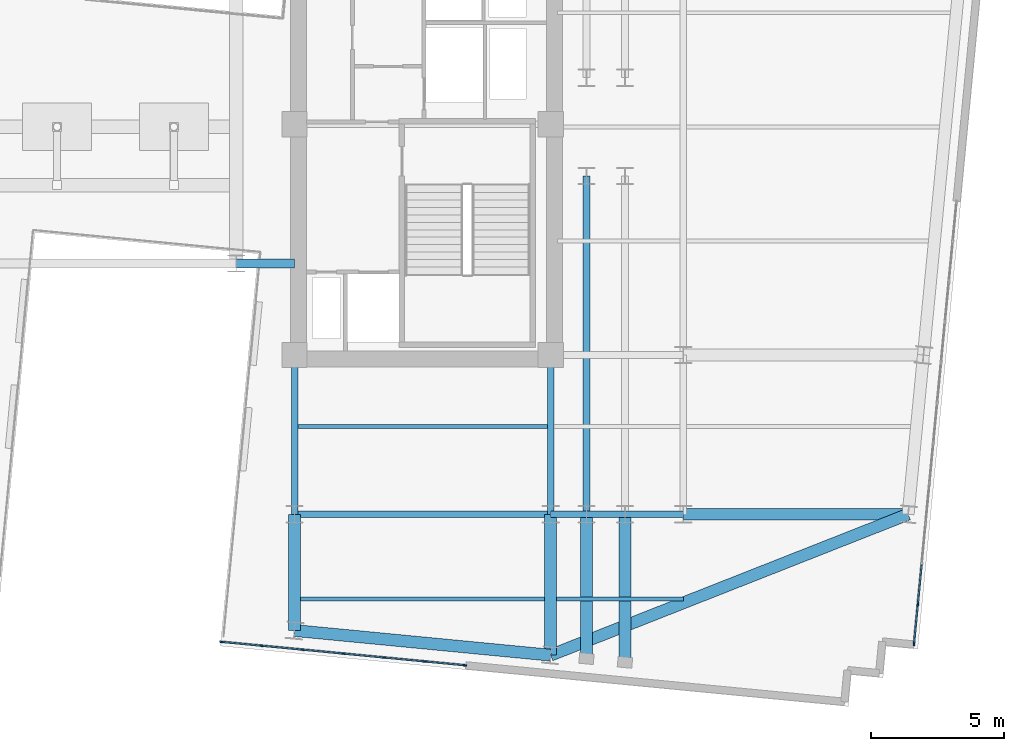
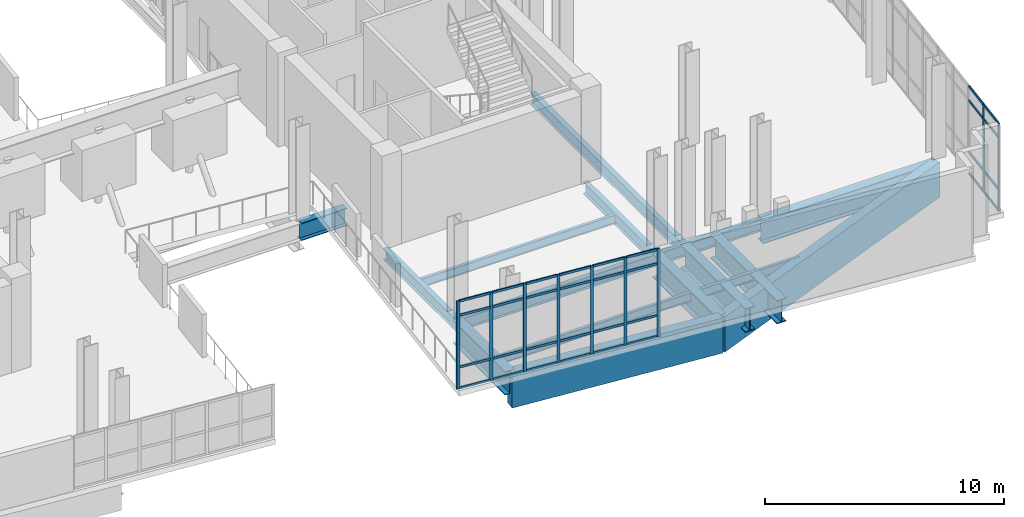
# One storey, part 4 of 16: 41 members, 16 beams, 2 elements without a shape of their own.
"""IFC4 building model written with IfcOpenShell, lengths in metres."""

from ifc_helpers import new_model, si_unit, direction, frame, origin, origin_2d, place, context, subcontext, project, spatial, rectangle, i_section, extrude, material, layer, layer_set, material_profile, profile_set, type_object, element, aggregate, save


model = new_model("IFC4")

# Units and contexts
model_context = context("Model", 3, precision=1e-05, world=origin(), true_north=direction((0.0, 1.0)))
body_context = subcontext(model_context, "Body", "Model", "MODEL_VIEW")
ifc_project = project(units=[si_unit("LENGTHUNIT", "METRE"), si_unit("AREAUNIT", "SQUARE_METRE"), si_unit("VOLUMEUNIT", "CUBIC_METRE"), si_unit("PLANEANGLEUNIT", "RADIAN"), si_unit("MASSUNIT", "GRAM", prefix="KILO")], contexts=[model_context])

# Site, building, storey
site_placement = place(None, origin())
site = spatial("IfcSite", under=ifc_project, at=site_placement, CompositionType="ELEMENT")
building_placement = place(site_placement, origin())
building = spatial("IfcBuilding", under=site, at=building_placement, Name="Velakula Bourse", CompositionType="ELEMENT")
storey_placement = place(building_placement, frame((0.0, 0.0, 199.5)))
storey = spatial("IfcBuildingStorey", under=building, at=storey_placement, Name="L54", CompositionType="ELEMENT", Elevation=199.5)

# Beams
ifc_material_1 = material(Name="Steel IS 2062 Grade 350 (E350)", Category="steel")
ifc_material_profile_1 = material_profile(ifc_material_1, i_section(OverallWidth=0.25, OverallDepth=0.60009765625, WebThickness=0.01123046875, FlangeThickness=0.021240234375, at=origin_2d()), Name="Steel IS 2062 Grade 350 (E350)")
ifc_profile_set_1 = profile_set([ifc_material_profile_1], Name="Steel IS 2062 Grade 350 (E350)")
beam_type_1 = type_object("IfcBeamType", Name="BM-GRD-600M", PredefinedType="BEAM", material=ifc_profile_set_1)
for number, where, z_axis, x_axis, name in (
    (1, (8.949951171875, -14.60009765625, -0.580078125), (0.0, 1.0, 0.0), (-1.0, 0.0, 0.0), "L54 Fulcrum Grid Girder FLC-ECS"),
    (2, (18.60009765625, -14.60009765625, -0.580078125), (0.0, 1.0, 0.0), (-1.0, 0.0, 0.0), "L54 Fulcrum Grid Girder FLC-ES"),
):
    element("IfcBeam", number, at=place(storey_placement, frame(where, z_axis=z_axis, x_axis=x_axis)), inside=storey, type_object=beam_type_1, Name=name, PredefinedType="BEAM", context=body_context, shape_type="SweptSolid", body=[
        extrude(i_section(OverallWidth=0.25, OverallDepth=0.60009765625, WebThickness=0.01123046875, FlangeThickness=0.021240234375, at=origin_2d()), origin(), (0.0, 0.0, 1.0), 6.0),
    ])
beam_1_placement = place(storey_placement, frame((8.949951171875, -14.60009765625, -0.580078125), z_axis=(1.0, 0.0, 0.0), x_axis=(0.0, 1.0, 0.0)))
element("IfcBeam", 3, at=beam_1_placement, inside=storey, type_object=beam_type_1, Name="L54 Fulcrum Grid Girder FLC-S3", PredefinedType="BEAM", context=body_context, shape_type="SweptSolid", body=[
    extrude(i_section(OverallWidth=0.25, OverallDepth=0.60009765625, WebThickness=0.01123046875, FlangeThickness=0.021240234375, at=origin_2d()), origin(), (0.0, 0.0, 1.0), 9.650146484375),
])
beam_2_placement = place(storey_placement, frame((19.949951171875, -14.60009765625, -0.580078125), z_axis=(0.0, 1.0, 0.0), x_axis=(-1.0, 0.0, 0.0)))
element("IfcBeam", 4, at=beam_2_placement, inside=storey, type_object=beam_type_1, Name="L54 Fulcrum Grid Girder FLC-PSE1", PredefinedType="BEAM", context=body_context, shape_type="SweptSolid", body=[
    extrude(i_section(OverallWidth=0.25, OverallDepth=0.60009765625, WebThickness=0.01123046875, FlangeThickness=0.021240234375, at=origin_2d()), origin(), (0.0, 0.0, 1.0), 12.75),
])
beam_3_placement = place(storey_placement, frame((18.60009765625, -14.60009765625, -0.580078125), z_axis=(1.0, 0.0, 0.0), x_axis=(0.0, 1.0, 0.0)))
element("IfcBeam", 5, at=beam_3_placement, inside=storey, type_object=beam_type_1, Name="L54 Fulcrum Grid Girder MWG-ES1", PredefinedType="BEAM", context=body_context, shape_type="SweptSolid", body=[
    extrude(i_section(OverallWidth=0.25, OverallDepth=0.60009765625, WebThickness=0.01123046875, FlangeThickness=0.021240234375, at=origin_2d()), origin(), (0.0, 0.0, 1.0), 5.0),
])
ifc_material_profile_2 = material_profile(ifc_material_1, i_section(OverallWidth=0.35009765625, OverallDepth=0.89990234375, WebThickness=0.02001953125, FlangeThickness=0.031982421875, at=origin_2d()), Name="Steel IS 2062 Grade 350 (E350)")
ifc_profile_set_2 = profile_set([ifc_material_profile_2], Name="Steel IS 2062 Grade 350 (E350)")
beam_type_2 = type_object("IfcBeamType", Name="BM-LNK-900", PredefinedType="BEAM", material=ifc_profile_set_2)
beam_4_placement = place(storey_placement, frame((6.75, -5.14990234375, -0.72998046875), z_axis=(1.0, 0.0, 0.0), x_axis=(0.0, 1.0, 0.0)))
element("IfcBeam", 6, at=beam_4_placement, inside=storey, type_object=beam_type_2, Name="L54 Primary Backbone Girder LNK-S3", PredefinedType="BEAM", context=body_context, shape_type="SweptSolid", body=[
    extrude(i_section(OverallWidth=0.35009765625, OverallDepth=0.89990234375, WebThickness=0.02001953125, FlangeThickness=0.031982421875, at=origin_2d()), origin(), (0.0, 0.0, 1.0), 2.199951171875),
])
ifc_material_profile_3 = material_profile(ifc_material_1, i_section(OverallWidth=0.14990234375, OverallDepth=0.449951171875, WebThickness=0.009521484375, FlangeThickness=0.017333984375, at=origin_2d()), Name="Steel IS 2062 Grade 350 (E350)")
ifc_profile_set_3 = profile_set([ifc_material_profile_3], Name="Steel IS 2062 Grade 350 (E350)")
beam_type_3 = type_object("IfcBeamType", Name="JST-TWR-450", PredefinedType="JOIST", material=ifc_profile_set_3)
beam_5_placement = place(storey_placement, frame((9.175048828125, -17.800048828125, -0.5048828125), z_axis=(1.0, 0.0, 0.0), x_axis=(0.0, 1.0, 0.0)))
element("IfcBeam", 7, at=beam_5_placement, inside=storey, type_object=beam_type_3, Name="L54 Trading Floor Composite Joist 01", PredefinedType="JOIST", context=body_context, shape_type="SweptSolid", body=[
    extrude(i_section(OverallWidth=0.14990234375, OverallDepth=0.449951171875, WebThickness=0.009521484375, FlangeThickness=0.017333984375, at=origin_2d()), origin(), (0.0, 0.0, 1.0), 9.199951171875),
])
beam_6_placement = place(storey_placement, frame((18.824951171875, -17.800048828125, -0.5048828125), z_axis=(1.0, 0.0, 0.0), x_axis=(0.0, 1.0, 0.0)))
element("IfcBeam", 8, at=beam_6_placement, inside=storey, type_object=beam_type_3, Name="L54 Trading Floor Composite Joist 02", PredefinedType="JOIST", context=body_context, shape_type="SweptSolid", body=[
    extrude(i_section(OverallWidth=0.14990234375, OverallDepth=0.449951171875, WebThickness=0.009521484375, FlangeThickness=0.017333984375, at=origin_2d()), origin(), (0.0, 0.0, 1.0), 4.775146484375),
])
beam_7_placement = place(storey_placement, frame((9.074951171875, -11.300048828125, -0.5048828125), z_axis=(1.0, 0.0, 0.0), x_axis=(0.0, 1.0, 0.0)))
element("IfcBeam", 9, at=beam_7_placement, inside=storey, type_object=beam_type_3, Name="L54 Trading Floor Composite Joist 06", PredefinedType="JOIST", context=body_context, shape_type="SweptSolid", body=[
    extrude(i_section(OverallWidth=0.14990234375, OverallDepth=0.449951171875, WebThickness=0.009521484375, FlangeThickness=0.017333984375, at=origin_2d()), origin(), (0.0, 0.0, 1.0), 9.400146484375),
])

# Curtain wall, members
ifc_material_2 = material(Name="Anodised bronze architectural aluminium", Category="aluminium")
ifc_layer = layer(ifc_material_2, 0.139892578125, Name="Anodised bronze architectural aluminium", Category="aluminium")
ifc_layer_set = layer_set([ifc_layer], Name="Anodised bronze architectural aluminium")
curtain_wall_type = type_object("IfcCurtainWallType", Name="CW-TS1", PredefinedType="NOTDEFINED", material=ifc_layer_set)
curtain_wall_1_placement = place(storey_placement, origin())
curtain_wall_1 = element("IfcCurtainWall", 10, at=curtain_wall_1_placement, inside=storey, type_object=curtain_wall_type, Name="L54 Venturi Observation Curtain Wall S-B4", PredefinedType="NOTDEFINED")
ifc_material_profile_4 = material_profile(ifc_material_2, rectangle(XDim=0.06005859375, YDim=0.139892578125, at=origin_2d()), Name="Anodised bronze architectural aluminium")
ifc_profile_set_4 = profile_set([ifc_material_profile_4], Name="Anodised bronze architectural aluminium")
member_type_1 = type_object("IfcMemberType", Name="MUL-CW-TS1", PredefinedType="MULLION", material=ifc_profile_set_4)
member_1_placement = place(storey_placement, frame((15.36865234375, -20.292724609375, 0.0), z_axis=(0.0, 0.0, 1.0), x_axis=(-0.095849023567, -0.995395883396, 0.0)))
member_1 = element("IfcMember", 11, at=member_1_placement, type_object=member_type_1, Name="CW-TS1 mullion 1", PredefinedType="MULLION", context=body_context, shape_type="SweptSolid", body=[
    extrude(rectangle(XDim=0.06005859375, YDim=0.139892578125, at=origin_2d()), origin(), (0.0, 0.0, 1.0), 4.5),
])
member_2_placement = place(storey_placement, frame((13.85986328125, -20.1474609375, 0.0), z_axis=(0.0, 0.0, 1.0), x_axis=(-0.095849023567, -0.995395883396, 0.0)))
member_2 = element("IfcMember", 12, at=member_2_placement, type_object=member_type_1, Name="CW-TS1 mullion 2", PredefinedType="MULLION", context=body_context, shape_type="SweptSolid", body=[
    extrude(rectangle(XDim=0.06005859375, YDim=0.139892578125, at=origin_2d()), origin(), (0.0, 0.0, 1.0), 4.5),
])
member_3_placement = place(storey_placement, frame((12.321044921875, -19.999267578125, 0.0), z_axis=(0.0, 0.0, 1.0), x_axis=(-0.095849023567, -0.995395883396, 0.0)))
member_3 = element("IfcMember", 13, at=member_3_placement, type_object=member_type_1, Name="CW-TS1 mullion 3", PredefinedType="MULLION", context=body_context, shape_type="SweptSolid", body=[
    extrude(rectangle(XDim=0.06005859375, YDim=0.139892578125, at=origin_2d()), origin(), (0.0, 0.0, 1.0), 4.5),
])
member_4_placement = place(storey_placement, frame((10.782470703125, -19.85107421875, 0.0), z_axis=(0.0, 0.0, 1.0), x_axis=(-0.095849023567, -0.995395883396, 0.0)))
member_4 = element("IfcMember", 14, at=member_4_placement, type_object=member_type_1, Name="CW-TS1 mullion 4", PredefinedType="MULLION", context=body_context, shape_type="SweptSolid", body=[
    extrude(rectangle(XDim=0.06005859375, YDim=0.139892578125, at=origin_2d()), origin(), (0.0, 0.0, 1.0), 4.5),
])
member_5_placement = place(storey_placement, frame((9.24365234375, -19.702880859375, 0.0), z_axis=(0.0, 0.0, 1.0), x_axis=(-0.095849023567, -0.995395883396, 0.0)))
member_5 = element("IfcMember", 15, at=member_5_placement, type_object=member_type_1, Name="CW-TS1 mullion 5", PredefinedType="MULLION", context=body_context, shape_type="SweptSolid", body=[
    extrude(rectangle(XDim=0.06005859375, YDim=0.139892578125, at=origin_2d()), origin(), (0.0, 0.0, 1.0), 4.5),
])
member_6_placement = place(storey_placement, frame((7.705078125, -19.5546875, 0.0), z_axis=(0.0, 0.0, 1.0), x_axis=(-0.095849023567, -0.995395883396, 0.0)))
member_6 = element("IfcMember", 16, at=member_6_placement, type_object=member_type_1, Name="CW-TS1 mullion 6", PredefinedType="MULLION", context=body_context, shape_type="SweptSolid", body=[
    extrude(rectangle(XDim=0.06005859375, YDim=0.139892578125, at=origin_2d()), origin(), (0.0, 0.0, 1.0), 4.5),
])
member_7_placement = place(storey_placement, frame((6.196044921875, -19.409423828125, 0.0), z_axis=(0.0, 0.0, 1.0), x_axis=(-0.095849023567, -0.995395883396, 0.0)))
member_7 = element("IfcMember", 17, at=member_7_placement, type_object=member_type_1, Name="CW-TS1 mullion 7", PredefinedType="MULLION", context=body_context, shape_type="SweptSolid", body=[
    extrude(rectangle(XDim=0.06005859375, YDim=0.139892578125, at=origin_2d()), origin(), (0.0, 0.0, 1.0), 4.5),
])

curtain_wall_2_placement = place(storey_placement, origin())
curtain_wall_2 = element("IfcCurtainWall", 18, at=curtain_wall_2_placement, inside=storey, type_object=curtain_wall_type, Name="L54 Turbine Plenum Curtain Wall E-W1", PredefinedType="NOTDEFINED")
member_8_placement = place(storey_placement, frame((32.437744140625, -17.99169921875, 0.0), z_axis=(0.0, 0.0, 1.0), x_axis=(0.995395914115, -0.095848704547, 0.0)))
member_8 = element("IfcMember", 19, at=member_8_placement, type_object=member_type_1, Name="CW-TS1 mullion 11", PredefinedType="MULLION", context=body_context, shape_type="SweptSolid", body=[
    extrude(rectangle(XDim=0.06005859375, YDim=0.139892578125, at=origin_2d()), origin(), (0.0, 0.0, 1.0), 4.5),
])
member_9_placement = place(storey_placement, frame((32.29443359375, -19.481201171875, 0.0), z_axis=(0.0, 0.0, 1.0), x_axis=(0.995395914115, -0.095848704547, 0.0)))
member_9 = element("IfcMember", 20, at=member_9_placement, type_object=member_type_1, Name="CW-TS1 mullion 12", PredefinedType="MULLION", context=body_context, shape_type="SweptSolid", body=[
    extrude(rectangle(XDim=0.06005859375, YDim=0.139892578125, at=origin_2d()), origin(), (0.0, 0.0, 1.0), 4.5),
])

# Beams
ifc_material_3 = material(Name="Concrete M50 (fck 50 MPa)", Category="concrete")
ifc_material_profile_5 = material_profile(ifc_material_3, rectangle(XDim=0.449951171875, YDim=1.800048828125, at=origin_2d()), Name="Concrete M50 (fck 50 MPa)")
ifc_profile_set_5 = profile_set([ifc_material_profile_5], Name="Concrete M50 (fck 50 MPa)")
beam_type_4 = type_object("IfcBeamType", Name="SPN-TRF-1800", PredefinedType="SPANDREL", material=ifc_profile_set_5)
beam_8_placement = place(storey_placement, frame((8.949951171875, -18.9814453125, -1.179931640625), z_axis=(0.99539623971, -0.095845323155, 0.0), x_axis=(0.095845323155, 0.99539623971, 0.0)))
element("IfcBeam", 21, at=beam_8_placement, inside=storey, type_object=beam_type_4, Name="L54 Brick-Faced Precast Spandrel S3-S4", PredefinedType="SPANDREL", context=body_context, shape_type="SweptSolid", body=[
    extrude(rectangle(XDim=0.449951171875, YDim=1.800048828125, at=origin_2d()), origin(), (0.0, 0.0, 1.0), 9.69482421875),
])
beam_9_placement = place(storey_placement, frame((18.60009765625, -19.91064453125, -1.179931640625), z_axis=(0.930320901537, 0.366746533949, 0.0), x_axis=(-0.366746533949, 0.930320901537, 0.0)))
element("IfcBeam", 22, at=beam_9_placement, inside=storey, type_object=beam_type_4, Name="L54 Brick-Faced Precast Spandrel S4-E1", PredefinedType="SPANDREL", context=body_context, shape_type="SweptSolid", body=[
    extrude(rectangle(XDim=0.449951171875, YDim=1.800048828125, at=origin_2d()), origin(), (0.0, 0.0, 1.0), 14.480224609375),
])
ifc_material_4 = material(Name="Steel IS 2062 Grade 450 (E450)", Category="steel")
ifc_material_profile_6 = material_profile(ifc_material_4, i_section(OverallWidth=0.449951171875, OverallDepth=1.199951171875, WebThickness=0.02587890625, FlangeThickness=0.0400390625, at=origin_2d()), Name="Steel IS 2062 Grade 450 (E450)")
ifc_profile_set_6 = profile_set([ifc_material_profile_6], Name="Steel IS 2062 Grade 450 (E450)")
beam_type_5 = type_object("IfcBeamType", Name="TB-CANT-1200", PredefinedType="BEAM", material=ifc_profile_set_6)
beam_10_placement = place(storey_placement, frame((8.949951171875, -14.60009765625, -0.8798828125), z_axis=(0.0, -1.0, 0.0), x_axis=(1.0, 0.0, 0.0)))
element("IfcBeam", 23, at=beam_10_placement, inside=storey, type_object=beam_type_5, Name="L54 Perimeter Tie Girder S3", PredefinedType="BEAM", context=body_context, shape_type="SweptSolid", body=[
    extrude(i_section(OverallWidth=0.449951171875, OverallDepth=1.199951171875, WebThickness=0.02587890625, FlangeThickness=0.0400390625, at=origin_2d()), origin(), (0.0, 0.0, 1.0), 4.38134765625),
])
beam_11_placement = place(storey_placement, frame((18.60009765625, -14.60009765625, -0.8798828125), z_axis=(0.0, -1.0, 0.0), x_axis=(1.0, 0.0, 0.0)))
element("IfcBeam", 24, at=beam_11_placement, inside=storey, type_object=beam_type_5, Name="L54 Perimeter Tie Girder S4", PredefinedType="BEAM", context=body_context, shape_type="SweptSolid", body=[
    extrude(i_section(OverallWidth=0.449951171875, OverallDepth=1.199951171875, WebThickness=0.02587890625, FlangeThickness=0.0400390625, at=origin_2d()), origin(), (0.0, 0.0, 1.0), 5.310546875),
])
beam_12_placement = place(storey_placement, frame((23.60009765625, -14.60009765625, -0.8798828125), z_axis=(1.0, 0.0, 0.0), x_axis=(0.0, 1.0, 0.0)))
element("IfcBeam", 25, at=beam_12_placement, inside=storey, type_object=beam_type_5, Name="L54 Perimeter Tie Girder E1", PredefinedType="BEAM", context=body_context, shape_type="SweptSolid", body=[
    extrude(i_section(OverallWidth=0.449951171875, OverallDepth=1.199951171875, WebThickness=0.02587890625, FlangeThickness=0.0400390625, at=origin_2d()), origin(), (0.0, 0.0, 1.0), 8.47119140625),
])
beam_13_placement = place(storey_placement, frame((19.949951171875, -14.60009765625, -0.8798828125), z_axis=(0.0, -1.0, 0.0), x_axis=(1.0, 0.0, 0.0)))
element("IfcBeam", 26, at=beam_13_placement, inside=storey, type_object=beam_type_5, Name="L54 Perimeter Tie Girder P03", PredefinedType="BEAM", context=body_context, shape_type="SweptSolid", body=[
    extrude(i_section(OverallWidth=0.449951171875, OverallDepth=1.199951171875, WebThickness=0.02587890625, FlangeThickness=0.0400390625, at=origin_2d()), origin(), (0.0, 0.0, 1.0), 5.4404296875),
])
beam_14_placement = place(storey_placement, frame((21.39990234375, -14.60009765625, -0.8798828125), z_axis=(0.0, -1.0, 0.0), x_axis=(1.0, 0.0, 0.0)))
element("IfcBeam", 27, at=beam_14_placement, inside=storey, type_object=beam_type_5, Name="L54 Perimeter Tie Girder P04", PredefinedType="BEAM", context=body_context, shape_type="SweptSolid", body=[
    extrude(i_section(OverallWidth=0.449951171875, OverallDepth=1.199951171875, WebThickness=0.02587890625, FlangeThickness=0.0400390625, at=origin_2d()), origin(), (0.0, 0.0, 1.0), 5.580322265625),
])

# Member
ifc_material_profile_7 = material_profile(ifc_material_2, rectangle(XDim=0.06005859375, YDim=0.1201171875, at=origin_2d()), Name="Anodised bronze architectural aluminium")
ifc_profile_set_7 = profile_set([ifc_material_profile_7], Name="Anodised bronze architectural aluminium")
member_type_2 = type_object("IfcMemberType", Name="TRN-CW-TS1", PredefinedType="USERDEFINED", material=ifc_profile_set_7)
member_10_placement = place(storey_placement, frame((15.3388671875, -20.289794921875, 0.030029296875), z_axis=(-0.995405341526, 0.095750749665, 0.0), x_axis=(-0.095750749665, -0.995405341526, 0.0)))
member_10 = element("IfcMember", 28, at=member_10_placement, type_object=member_type_2, Name="CW-TS1 transom 1.1", ObjectType="TRANSOM", PredefinedType="USERDEFINED", context=body_context, shape_type="SweptSolid", body=[
    extrude(rectangle(XDim=0.06005859375, YDim=0.1201171875, at=origin_2d()), origin(), (0.0, 0.0, 1.0), 1.455810546875),
])

member_11_placement = place(storey_placement, frame((15.3388671875, -20.289794921875, 1.10009765625), z_axis=(-0.995405341526, 0.095750749665, 0.0), x_axis=(-0.095750749665, -0.995405341526, 0.0)))
member_11 = element("IfcMember", 29, at=member_11_placement, type_object=member_type_2, Name="CW-TS1 transom 1.2", ObjectType="TRANSOM", PredefinedType="USERDEFINED", context=body_context, shape_type="SweptSolid", body=[
    extrude(rectangle(XDim=0.06005859375, YDim=0.1201171875, at=origin_2d()), origin(), (0.0, 0.0, 1.0), 1.455810546875),
])

member_12_placement = place(storey_placement, frame((15.3388671875, -20.289794921875, 3.75), z_axis=(-0.995405341526, 0.095750749665, 0.0), x_axis=(-0.095750749665, -0.995405341526, 0.0)))
member_12 = element("IfcMember", 30, at=member_12_placement, type_object=member_type_2, Name="CW-TS1 transom 1.3", ObjectType="TRANSOM", PredefinedType="USERDEFINED", context=body_context, shape_type="SweptSolid", body=[
    extrude(rectangle(XDim=0.06005859375, YDim=0.1201171875, at=origin_2d()), origin(), (0.0, 0.0, 1.0), 1.455810546875),
])

member_13_placement = place(storey_placement, frame((15.3388671875, -20.289794921875, 4.469970703125), z_axis=(-0.995405341526, 0.095750749665, 0.0), x_axis=(-0.095750749665, -0.995405341526, 0.0)))
member_13 = element("IfcMember", 31, at=member_13_placement, type_object=member_type_2, Name="CW-TS1 transom 1.4", ObjectType="TRANSOM", PredefinedType="USERDEFINED", context=body_context, shape_type="SweptSolid", body=[
    extrude(rectangle(XDim=0.06005859375, YDim=0.1201171875, at=origin_2d()), origin(), (0.0, 0.0, 1.0), 1.455810546875),
])

member_14_placement = place(storey_placement, frame((13.830078125, -20.14453125, 0.030029296875), z_axis=(-0.995401198531, 0.095793809631, 0.0), x_axis=(-0.095793809631, -0.995401198531, 0.0)))
member_14 = element("IfcMember", 32, at=member_14_placement, type_object=member_type_2, Name="CW-TS1 transom 2.1", ObjectType="TRANSOM", PredefinedType="USERDEFINED", context=body_context, shape_type="SweptSolid", body=[
    extrude(rectangle(XDim=0.06005859375, YDim=0.1201171875, at=origin_2d()), origin(), (0.0, 0.0, 1.0), 1.48583984375),
])

member_15_placement = place(storey_placement, frame((13.830078125, -20.14453125, 1.10009765625), z_axis=(-0.995401198531, 0.095793809631, 0.0), x_axis=(-0.095793809631, -0.995401198531, 0.0)))
member_15 = element("IfcMember", 33, at=member_15_placement, type_object=member_type_2, Name="CW-TS1 transom 2.2", ObjectType="TRANSOM", PredefinedType="USERDEFINED", context=body_context, shape_type="SweptSolid", body=[
    extrude(rectangle(XDim=0.06005859375, YDim=0.1201171875, at=origin_2d()), origin(), (0.0, 0.0, 1.0), 1.48583984375),
])

member_16_placement = place(storey_placement, frame((13.830078125, -20.14453125, 3.75), z_axis=(-0.995401198531, 0.095793809631, 0.0), x_axis=(-0.095793809631, -0.995401198531, 0.0)))
member_16 = element("IfcMember", 34, at=member_16_placement, type_object=member_type_2, Name="CW-TS1 transom 2.3", ObjectType="TRANSOM", PredefinedType="USERDEFINED", context=body_context, shape_type="SweptSolid", body=[
    extrude(rectangle(XDim=0.06005859375, YDim=0.1201171875, at=origin_2d()), origin(), (0.0, 0.0, 1.0), 1.48583984375),
])

member_17_placement = place(storey_placement, frame((13.830078125, -20.14453125, 4.469970703125), z_axis=(-0.995401198531, 0.095793809631, 0.0), x_axis=(-0.095793809631, -0.995401198531, 0.0)))
member_17 = element("IfcMember", 35, at=member_17_placement, type_object=member_type_2, Name="CW-TS1 transom 2.4", ObjectType="TRANSOM", PredefinedType="USERDEFINED", context=body_context, shape_type="SweptSolid", body=[
    extrude(rectangle(XDim=0.06005859375, YDim=0.1201171875, at=origin_2d()), origin(), (0.0, 0.0, 1.0), 1.48583984375),
])

member_18_placement = place(storey_placement, frame((12.291259765625, -19.996337890625, 0.030029296875), z_axis=(-0.995401198531, 0.095793809631, 0.0), x_axis=(-0.095793809631, -0.995401198531, 0.0)))
member_18 = element("IfcMember", 36, at=member_18_placement, type_object=member_type_2, Name="CW-TS1 transom 3.1", ObjectType="TRANSOM", PredefinedType="USERDEFINED", context=body_context, shape_type="SweptSolid", body=[
    extrude(rectangle(XDim=0.06005859375, YDim=0.1201171875, at=origin_2d()), origin(), (0.0, 0.0, 1.0), 1.48583984375),
])

member_19_placement = place(storey_placement, frame((12.291259765625, -19.996337890625, 1.10009765625), z_axis=(-0.995401198531, 0.095793809631, 0.0), x_axis=(-0.095793809631, -0.995401198531, 0.0)))
member_19 = element("IfcMember", 37, at=member_19_placement, type_object=member_type_2, Name="CW-TS1 transom 3.2", ObjectType="TRANSOM", PredefinedType="USERDEFINED", context=body_context, shape_type="SweptSolid", body=[
    extrude(rectangle(XDim=0.06005859375, YDim=0.1201171875, at=origin_2d()), origin(), (0.0, 0.0, 1.0), 1.48583984375),
])

member_20_placement = place(storey_placement, frame((12.291259765625, -19.996337890625, 3.75), z_axis=(-0.995401198531, 0.095793809631, 0.0), x_axis=(-0.095793809631, -0.995401198531, 0.0)))
member_20 = element("IfcMember", 38, at=member_20_placement, type_object=member_type_2, Name="CW-TS1 transom 3.3", ObjectType="TRANSOM", PredefinedType="USERDEFINED", context=body_context, shape_type="SweptSolid", body=[
    extrude(rectangle(XDim=0.06005859375, YDim=0.1201171875, at=origin_2d()), origin(), (0.0, 0.0, 1.0), 1.48583984375),
])

member_21_placement = place(storey_placement, frame((12.291259765625, -19.996337890625, 4.469970703125), z_axis=(-0.995401198531, 0.095793809631, 0.0), x_axis=(-0.095793809631, -0.995401198531, 0.0)))
member_21 = element("IfcMember", 39, at=member_21_placement, type_object=member_type_2, Name="CW-TS1 transom 3.4", ObjectType="TRANSOM", PredefinedType="USERDEFINED", context=body_context, shape_type="SweptSolid", body=[
    extrude(rectangle(XDim=0.06005859375, YDim=0.1201171875, at=origin_2d()), origin(), (0.0, 0.0, 1.0), 1.48583984375),
])

member_22_placement = place(storey_placement, frame((10.752685546875, -19.84814453125, 0.030029296875), z_axis=(-0.995401198531, 0.095793809631, 0.0), x_axis=(-0.095793809631, -0.995401198531, 0.0)))
member_22 = element("IfcMember", 40, at=member_22_placement, type_object=member_type_2, Name="CW-TS1 transom 4.1", ObjectType="TRANSOM", PredefinedType="USERDEFINED", context=body_context, shape_type="SweptSolid", body=[
    extrude(rectangle(XDim=0.06005859375, YDim=0.1201171875, at=origin_2d()), origin(), (0.0, 0.0, 1.0), 1.48583984375),
])

member_23_placement = place(storey_placement, frame((10.752685546875, -19.84814453125, 1.10009765625), z_axis=(-0.995401198531, 0.095793809631, 0.0), x_axis=(-0.095793809631, -0.995401198531, 0.0)))
member_23 = element("IfcMember", 41, at=member_23_placement, type_object=member_type_2, Name="CW-TS1 transom 4.2", ObjectType="TRANSOM", PredefinedType="USERDEFINED", context=body_context, shape_type="SweptSolid", body=[
    extrude(rectangle(XDim=0.06005859375, YDim=0.1201171875, at=origin_2d()), origin(), (0.0, 0.0, 1.0), 1.48583984375),
])

member_24_placement = place(storey_placement, frame((10.752685546875, -19.84814453125, 3.75), z_axis=(-0.995401198531, 0.095793809631, 0.0), x_axis=(-0.095793809631, -0.995401198531, 0.0)))
member_24 = element("IfcMember", 42, at=member_24_placement, type_object=member_type_2, Name="CW-TS1 transom 4.3", ObjectType="TRANSOM", PredefinedType="USERDEFINED", context=body_context, shape_type="SweptSolid", body=[
    extrude(rectangle(XDim=0.06005859375, YDim=0.1201171875, at=origin_2d()), origin(), (0.0, 0.0, 1.0), 1.48583984375),
])

member_25_placement = place(storey_placement, frame((10.752685546875, -19.84814453125, 4.469970703125), z_axis=(-0.995401198531, 0.095793809631, 0.0), x_axis=(-0.095793809631, -0.995401198531, 0.0)))
member_25 = element("IfcMember", 43, at=member_25_placement, type_object=member_type_2, Name="CW-TS1 transom 4.4", ObjectType="TRANSOM", PredefinedType="USERDEFINED", context=body_context, shape_type="SweptSolid", body=[
    extrude(rectangle(XDim=0.06005859375, YDim=0.1201171875, at=origin_2d()), origin(), (0.0, 0.0, 1.0), 1.48583984375),
])

member_26_placement = place(storey_placement, frame((9.2138671875, -19.699951171875, 0.030029296875), z_axis=(-0.995401198531, 0.095793809631, 0.0), x_axis=(-0.095793809631, -0.995401198531, 0.0)))
member_26 = element("IfcMember", 44, at=member_26_placement, type_object=member_type_2, Name="CW-TS1 transom 5.1", ObjectType="TRANSOM", PredefinedType="USERDEFINED", context=body_context, shape_type="SweptSolid", body=[
    extrude(rectangle(XDim=0.06005859375, YDim=0.1201171875, at=origin_2d()), origin(), (0.0, 0.0, 1.0), 1.48583984375),
])

member_27_placement = place(storey_placement, frame((9.2138671875, -19.699951171875, 1.10009765625), z_axis=(-0.995401198531, 0.095793809631, 0.0), x_axis=(-0.095793809631, -0.995401198531, 0.0)))
member_27 = element("IfcMember", 45, at=member_27_placement, type_object=member_type_2, Name="CW-TS1 transom 5.2", ObjectType="TRANSOM", PredefinedType="USERDEFINED", context=body_context, shape_type="SweptSolid", body=[
    extrude(rectangle(XDim=0.06005859375, YDim=0.1201171875, at=origin_2d()), origin(), (0.0, 0.0, 1.0), 1.48583984375),
])

member_28_placement = place(storey_placement, frame((9.2138671875, -19.699951171875, 3.75), z_axis=(-0.995401198531, 0.095793809631, 0.0), x_axis=(-0.095793809631, -0.995401198531, 0.0)))
member_28 = element("IfcMember", 46, at=member_28_placement, type_object=member_type_2, Name="CW-TS1 transom 5.3", ObjectType="TRANSOM", PredefinedType="USERDEFINED", context=body_context, shape_type="SweptSolid", body=[
    extrude(rectangle(XDim=0.06005859375, YDim=0.1201171875, at=origin_2d()), origin(), (0.0, 0.0, 1.0), 1.48583984375),
])

member_29_placement = place(storey_placement, frame((9.2138671875, -19.699951171875, 4.469970703125), z_axis=(-0.995401198531, 0.095793809631, 0.0), x_axis=(-0.095793809631, -0.995401198531, 0.0)))
member_29 = element("IfcMember", 47, at=member_29_placement, type_object=member_type_2, Name="CW-TS1 transom 5.4", ObjectType="TRANSOM", PredefinedType="USERDEFINED", context=body_context, shape_type="SweptSolid", body=[
    extrude(rectangle(XDim=0.06005859375, YDim=0.1201171875, at=origin_2d()), origin(), (0.0, 0.0, 1.0), 1.48583984375),
])

member_30_placement = place(storey_placement, frame((7.675048828125, -19.552001953125, 0.030029296875), z_axis=(-0.995387802173, 0.095932910336, 0.0), x_axis=(-0.095932910336, -0.995387802173, 0.0)))
member_30 = element("IfcMember", 48, at=member_30_placement, type_object=member_type_2, Name="CW-TS1 transom 6.1", ObjectType="TRANSOM", PredefinedType="USERDEFINED", context=body_context, shape_type="SweptSolid", body=[
    extrude(rectangle(XDim=0.06005859375, YDim=0.1201171875, at=origin_2d()), origin(), (0.0, 0.0, 1.0), 1.455810546875),
])

member_31_placement = place(storey_placement, frame((7.675048828125, -19.552001953125, 1.10009765625), z_axis=(-0.995387802173, 0.095932910336, 0.0), x_axis=(-0.095932910336, -0.995387802173, 0.0)))
member_31 = element("IfcMember", 49, at=member_31_placement, type_object=member_type_2, Name="CW-TS1 transom 6.2", ObjectType="TRANSOM", PredefinedType="USERDEFINED", context=body_context, shape_type="SweptSolid", body=[
    extrude(rectangle(XDim=0.06005859375, YDim=0.1201171875, at=origin_2d()), origin(), (0.0, 0.0, 1.0), 1.455810546875),
])

member_32_placement = place(storey_placement, frame((7.675048828125, -19.552001953125, 3.75), z_axis=(-0.995387802173, 0.095932910336, 0.0), x_axis=(-0.095932910336, -0.995387802173, 0.0)))
member_32 = element("IfcMember", 50, at=member_32_placement, type_object=member_type_2, Name="CW-TS1 transom 6.3", ObjectType="TRANSOM", PredefinedType="USERDEFINED", context=body_context, shape_type="SweptSolid", body=[
    extrude(rectangle(XDim=0.06005859375, YDim=0.1201171875, at=origin_2d()), origin(), (0.0, 0.0, 1.0), 1.455810546875),
])

member_33_placement = place(storey_placement, frame((7.675048828125, -19.552001953125, 4.469970703125), z_axis=(-0.995387802173, 0.095932910336, 0.0), x_axis=(-0.095932910336, -0.995387802173, 0.0)))
member_33 = element("IfcMember", 51, at=member_33_placement, type_object=member_type_2, Name="CW-TS1 transom 6.4", ObjectType="TRANSOM", PredefinedType="USERDEFINED", context=body_context, shape_type="SweptSolid", body=[
    extrude(rectangle(XDim=0.06005859375, YDim=0.1201171875, at=origin_2d()), origin(), (0.0, 0.0, 1.0), 1.455810546875),
])

aggregate(curtain_wall_1, [member_1, member_2, member_3, member_4, member_5, member_6, member_7, member_10, member_11, member_12, member_13, member_14, member_15, member_16, member_17, member_18, member_19, member_20, member_21, member_22, member_23, member_24, member_25, member_26, member_27, member_28, member_29, member_30, member_31, member_32, member_33])

member_34_placement = place(storey_placement, frame((32.581298828125, -16.502197265625, 0.030029296875), z_axis=(-0.095893222412, -0.995391626394, 0.0), x_axis=(0.995391626394, -0.095893222412, 0.0)))
member_34 = element("IfcMember", 52, at=member_34_placement, type_object=member_type_2, Name="CW-TS1 transom 10.1", ObjectType="TRANSOM", PredefinedType="USERDEFINED", context=body_context, shape_type="SweptSolid", body=[
    extrude(rectangle(XDim=0.06005859375, YDim=0.1201171875, at=origin_2d()), origin(), (0.0, 0.0, 1.0), 1.466552734375),
])

member_35_placement = place(storey_placement, frame((32.581298828125, -16.502197265625, 1.10009765625), z_axis=(-0.095893222412, -0.995391626394, 0.0), x_axis=(0.995391626394, -0.095893222412, 0.0)))
member_35 = element("IfcMember", 53, at=member_35_placement, type_object=member_type_2, Name="CW-TS1 transom 10.2", ObjectType="TRANSOM", PredefinedType="USERDEFINED", context=body_context, shape_type="SweptSolid", body=[
    extrude(rectangle(XDim=0.06005859375, YDim=0.1201171875, at=origin_2d()), origin(), (0.0, 0.0, 1.0), 1.466552734375),
])

member_36_placement = place(storey_placement, frame((32.581298828125, -16.502197265625, 3.75), z_axis=(-0.095893222412, -0.995391626394, 0.0), x_axis=(0.995391626394, -0.095893222412, 0.0)))
member_36 = element("IfcMember", 54, at=member_36_placement, type_object=member_type_2, Name="CW-TS1 transom 10.3", ObjectType="TRANSOM", PredefinedType="USERDEFINED", context=body_context, shape_type="SweptSolid", body=[
    extrude(rectangle(XDim=0.06005859375, YDim=0.1201171875, at=origin_2d()), origin(), (0.0, 0.0, 1.0), 1.466552734375),
])

member_37_placement = place(storey_placement, frame((32.581298828125, -16.502197265625, 4.469970703125), z_axis=(-0.095893222412, -0.995391626394, 0.0), x_axis=(0.995391626394, -0.095893222412, 0.0)))
member_37 = element("IfcMember", 55, at=member_37_placement, type_object=member_type_2, Name="CW-TS1 transom 10.4", ObjectType="TRANSOM", PredefinedType="USERDEFINED", context=body_context, shape_type="SweptSolid", body=[
    extrude(rectangle(XDim=0.06005859375, YDim=0.1201171875, at=origin_2d()), origin(), (0.0, 0.0, 1.0), 1.466552734375),
])

member_38_placement = place(storey_placement, frame((32.434814453125, -18.021728515625, 0.030029296875), z_axis=(-0.095699450937, -0.995410274756, 0.0), x_axis=(0.995410274756, -0.095699450937, 0.0)))
member_38 = element("IfcMember", 56, at=member_38_placement, type_object=member_type_2, Name="CW-TS1 transom 11.1", ObjectType="TRANSOM", PredefinedType="USERDEFINED", context=body_context, shape_type="SweptSolid", body=[
    extrude(rectangle(XDim=0.06005859375, YDim=0.1201171875, at=origin_2d()), origin(), (0.0, 0.0, 1.0), 1.436279296875),
])

member_39_placement = place(storey_placement, frame((32.434814453125, -18.021728515625, 1.10009765625), z_axis=(-0.095699450937, -0.995410274756, 0.0), x_axis=(0.995410274756, -0.095699450937, 0.0)))
member_39 = element("IfcMember", 57, at=member_39_placement, type_object=member_type_2, Name="CW-TS1 transom 11.2", ObjectType="TRANSOM", PredefinedType="USERDEFINED", context=body_context, shape_type="SweptSolid", body=[
    extrude(rectangle(XDim=0.06005859375, YDim=0.1201171875, at=origin_2d()), origin(), (0.0, 0.0, 1.0), 1.436279296875),
])

member_40_placement = place(storey_placement, frame((32.434814453125, -18.021728515625, 3.75), z_axis=(-0.095699450937, -0.995410274756, 0.0), x_axis=(0.995410274756, -0.095699450937, 0.0)))
member_40 = element("IfcMember", 58, at=member_40_placement, type_object=member_type_2, Name="CW-TS1 transom 11.3", ObjectType="TRANSOM", PredefinedType="USERDEFINED", context=body_context, shape_type="SweptSolid", body=[
    extrude(rectangle(XDim=0.06005859375, YDim=0.1201171875, at=origin_2d()), origin(), (0.0, 0.0, 1.0), 1.436279296875),
])

member_41_placement = place(storey_placement, frame((32.434814453125, -18.021728515625, 4.469970703125), z_axis=(-0.095699450937, -0.995410274756, 0.0), x_axis=(0.995410274756, -0.095699450937, 0.0)))
member_41 = element("IfcMember", 59, at=member_41_placement, type_object=member_type_2, Name="CW-TS1 transom 11.4", ObjectType="TRANSOM", PredefinedType="USERDEFINED", context=body_context, shape_type="SweptSolid", body=[
    extrude(rectangle(XDim=0.06005859375, YDim=0.1201171875, at=origin_2d()), origin(), (0.0, 0.0, 1.0), 1.436279296875),
])

aggregate(curtain_wall_2, [member_8, member_9, member_34, member_35, member_36, member_37, member_38, member_39, member_40, member_41])

save(model, "model.ifc")
